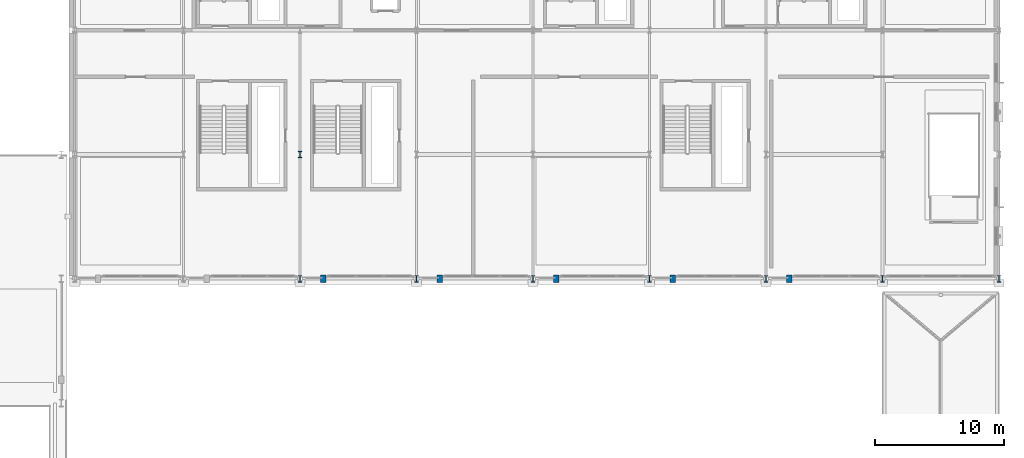
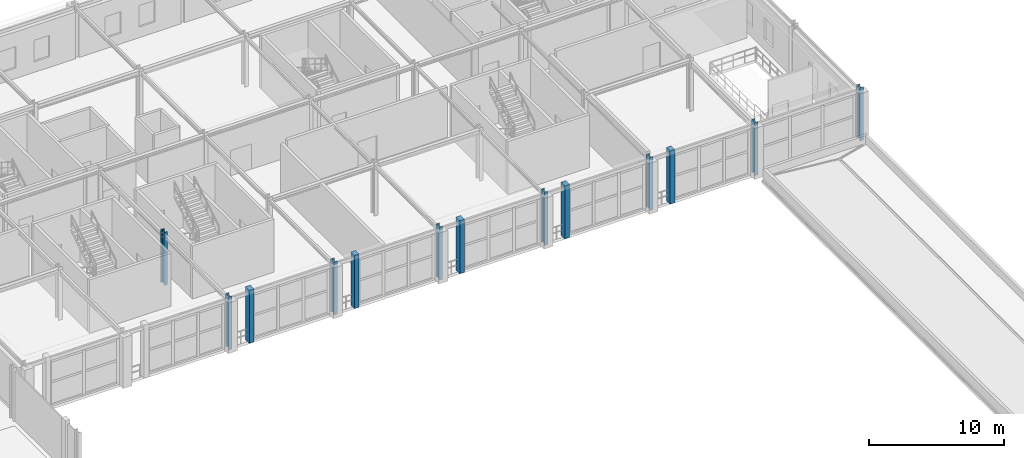
# One storey, part 20 of 125: 13 columns.
"""IFC4 building model written with IfcOpenShell, lengths in metres."""

from ifc_helpers import new_model, si_unit, direction, frame, origin, origin_2d, place, context, subcontext, project, spatial, rectangle, i_section, extrude, material, material_profile, profile_set, type_object, element, save


model = new_model("IFC4")

# Units and contexts
model_context = context("Model", 3, precision=1e-05, world=origin(), true_north=direction((0.0, 1.0)))
body_context = subcontext(model_context, "Body", "Model", "MODEL_VIEW")
ifc_project = project(units=[si_unit("LENGTHUNIT", "METRE"), si_unit("AREAUNIT", "SQUARE_METRE"), si_unit("VOLUMEUNIT", "CUBIC_METRE"), si_unit("PLANEANGLEUNIT", "RADIAN"), si_unit("MASSUNIT", "GRAM", prefix="KILO")], contexts=[model_context])

# Site, building, storey
site_placement = place(None, origin())
site = spatial("IfcSite", under=ifc_project, at=site_placement, CompositionType="ELEMENT")
building_placement = place(site_placement, origin())
building = spatial("IfcBuilding", under=site, at=building_placement, Name="Myrtia Square Station", CompositionType="ELEMENT")
storey_placement = place(building_placement, frame((0.0, 0.0, 6.0)))
storey = spatial("IfcBuildingStorey", under=building, at=storey_placement, Name="L01", CompositionType="ELEMENT", Elevation=6.0)

# Columns
ifc_material_1 = material(Name="Steel S355", Category="steel")
ifc_material_profile_1 = material_profile(ifc_material_1, i_section(OverallWidth=0.300048828125, OverallDepth=0.5, WebThickness=0.014404296875, FlangeThickness=0.028076171875, FilletRadius=0.027099609375, at=origin_2d()), Name="HEB 500")
ifc_profile_set_1 = profile_set([ifc_material_profile_1], Name="Steel S355")
column_type_1 = type_object("IfcColumnType", Name="COL-HEB500", PredefinedType="COLUMN", material=ifc_profile_set_1)
for number, where, z_axis, x_axis, name in (
    (1, (135.0, 86.39990234375, 0.0), (0.0, 0.0, 1.0), (1.0, 0.0, 0.0), "Column L01-0811"),
    (2, (135.0, 96.0, 0.0), (0.0, 0.0, 1.0), (1.0, 0.0, 0.0), "Column L01-0817"),
    (3, (144.0, 86.39990234375, 0.0), (0.0, 0.0, 1.0), (1.0, 0.0, 0.0), "Column L01-0841"),
    (4, (153.0, 86.39990234375, 0.0), (0.0, 0.0, 1.0), (1.0, 0.0, 0.0), "Column L01-0871"),
    (5, (162.0, 86.39990234375, 0.0), (0.0, 0.0, 1.0), (1.0, 0.0, 0.0), "Column L01-0900"),
    (6, (171.0, 86.39990234375, 0.0), (0.0, 0.0, 1.0), (1.0, 0.0, 0.0), "Column L01-0930"),
    (7, (180.0, 86.39990234375, 0.0), (0.0, 0.0, 1.0), (1.0, 0.0, 0.0), "Column L01-0960"),
    (8, (189.0, 86.39990234375, 0.0), (0.0, 0.0, 1.0), (1.0, 0.0, 0.0), "Column L01-0990"),
):
    element("IfcColumn", number, at=place(storey_placement, frame(where, z_axis=z_axis, x_axis=x_axis)), inside=storey, type_object=column_type_1, Name=name, PredefinedType="COLUMN", context=body_context, shape_type="SweptSolid", body=[
        extrude(i_section(OverallWidth=0.300048828125, OverallDepth=0.5, WebThickness=0.014404296875, FlangeThickness=0.028076171875, FilletRadius=0.027099609375, at=origin_2d()), origin(), (0.0, 0.0, 1.0), 4.800048828125),
    ])
ifc_material_2 = material(Name="Concrete C40/50", Category="concrete")
ifc_material_profile_2 = material_profile(ifc_material_2, rectangle(XDim=0.39990234375, YDim=0.550048828125, at=origin_2d()), Name="PIL 400x550")
ifc_profile_set_2 = profile_set([ifc_material_profile_2], Name="Concrete C40/50")
column_type_2 = type_object("IfcColumnType", Name="PIL-RC400x550", PredefinedType="PILASTER", material=ifc_profile_set_2)
for number, where, z_axis, x_axis, name in (
    (9, (136.800048828125, 86.39990234375, 0.0), (0.0, 0.0, 1.0), (1.0, 0.0, 0.0), "Portales arcade pilaster L01-15"),
    (10, (145.800048828125, 86.39990234375, 0.0), (0.0, 0.0, 1.0), (1.0, 0.0, 0.0), "Portales arcade pilaster L01-16"),
    (11, (154.800048828125, 86.39990234375, 0.0), (0.0, 0.0, 1.0), (1.0, 0.0, 0.0), "Portales arcade pilaster L01-17"),
    (12, (163.800048828125, 86.39990234375, 0.0), (0.0, 0.0, 1.0), (1.0, 0.0, 0.0), "Portales arcade pilaster L01-18"),
    (13, (172.800048828125, 86.39990234375, 0.0), (0.0, 0.0, 1.0), (1.0, 0.0, 0.0), "Portales arcade pilaster L01-19"),
):
    element("IfcColumn", number, at=place(storey_placement, frame(where, z_axis=z_axis, x_axis=x_axis)), inside=storey, type_object=column_type_2, Name=name, PredefinedType="PILASTER", context=body_context, shape_type="SweptSolid", body=[
        extrude(rectangle(XDim=0.39990234375, YDim=0.550048828125, at=origin_2d()), origin(), (0.0, 0.0, 1.0), 4.800048828125),
    ])

save(model, "model.ifc")
